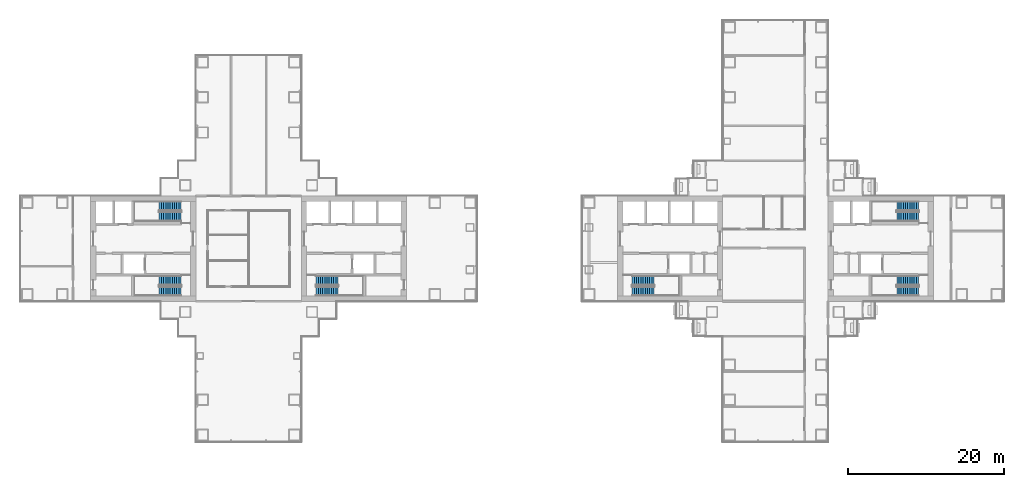
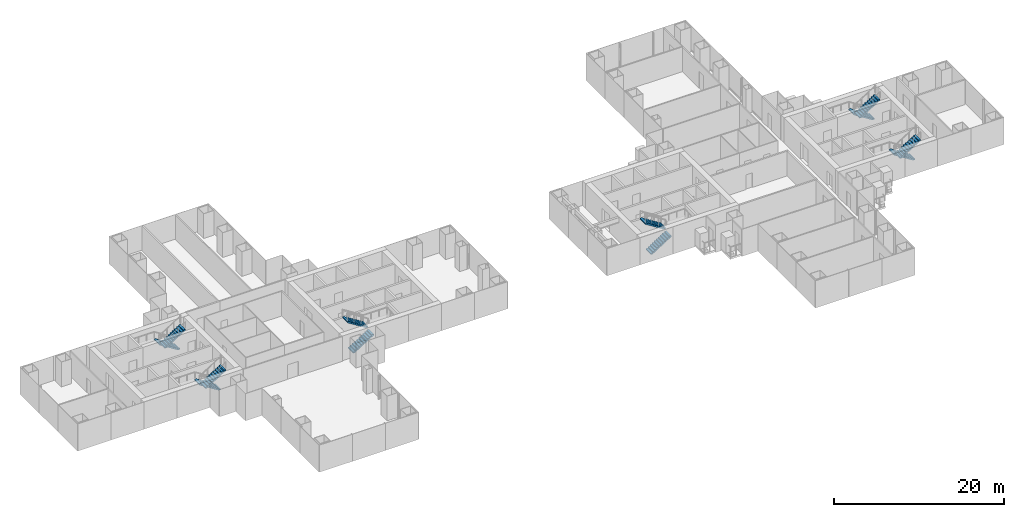
# One storey, part 18 of 21: 12 stair flights, 6 elements without a shape of their own.
"""IFC4 building model written with IfcOpenShell, lengths in metres."""

from ifc_helpers import new_model, si_unit, direction, frame, origin, place, context, subcontext, project, spatial, polyline, outline, extrude, material, type_object, element, aggregate, save


model = new_model("IFC4")

# Units and contexts
model_context = context("Model", 3, precision=1e-05, world=origin(), true_north=direction((0.0, 1.0)))
body_context = subcontext(model_context, "Body", "Model", "MODEL_VIEW")
ifc_project = project(units=[si_unit("LENGTHUNIT", "METRE"), si_unit("AREAUNIT", "SQUARE_METRE"), si_unit("VOLUMEUNIT", "CUBIC_METRE"), si_unit("PLANEANGLEUNIT", "RADIAN"), si_unit("MASSUNIT", "GRAM", prefix="KILO")], contexts=[model_context])

# Site, building, storey
site_placement = place(None, origin())
site = spatial("IfcSite", under=ifc_project, at=site_placement, CompositionType="ELEMENT")
building_placement = place(site_placement, origin())
building = spatial("IfcBuilding", under=site, at=building_placement, Name="Shamsa Quay Exchange Towers", CompositionType="ELEMENT")
storey_placement = place(building_placement, frame((0.0, 0.0, 53.699951171875)))
storey = spatial("IfcBuildingStorey", under=building, at=storey_placement, Name="L11", CompositionType="ELEMENT", Elevation=53.699951171875)

# Stair, stair flights
ifc_material = material(Name="Concrete C40/50", Category="concrete")
stair_type = type_object("IfcStairType", Name="EXIT STAIR 22 RISERS 177 MM", PredefinedType="HALF_TURN_STAIR", material=ifc_material)
stair_1_placement = place(storey_placement, origin())
stair_1 = element("IfcStair", 1, at=stair_1_placement, inside=storey, type_object=stair_type, Name="L11 Exit stair ST1", PredefinedType="HALF_TURN_STAIR")
stair_flight_type = type_object("IfcStairFlightType", Name="EXIT STAIR FLIGHT 11 RISERS 177 MM", PredefinedType="STRAIGHT", material=ifc_material)
stair_flight_1_placement = place(storey_placement, frame((-25.10009765625, -5.449951171875, 0.0)))
stair_flight_1 = element("IfcStairFlight", 2, at=stair_flight_1_placement, type_object=stair_flight_type, Name="ST1 flight 1", NumberOfRisers=11, NumberOfTreads=10, PredefinedType="STRAIGHT", RiserHeight=0.177272727, TreadLength=0.28, context=body_context, shape_type="SweptSolid", body=[
    extrude(outline(polyline([(0.0, 0.0), (0.0, 0.17724609375), (0.280029296875, 0.17724609375), (0.280029296875, 0.3544921875), (0.56005859375, 0.3544921875), (0.56005859375, 0.53173828125), (0.840087890625, 0.53173828125), (0.840087890625, 0.708984375), (1.1201171875, 0.708984375), (1.1201171875, 0.886474609375), (1.39990234375, 0.886474609375), (1.39990234375, 1.063720703125), (1.679931640625, 1.063720703125), (1.679931640625, 1.240966796875), (1.9599609375, 1.240966796875), (1.9599609375, 1.418212890625), (2.239990234375, 1.418212890625), (2.239990234375, 1.595458984375), (2.52001953125, 1.595458984375), (2.52001953125, 1.772705078125), (2.800048828125, 1.772705078125), (2.800048828125, 1.949951171875), (2.800048828125, 1.607177734375), (0.261474609375, 0.0), (0.0, 0.0)])), frame((0.0, 0.60009765625, 0.0), z_axis=(0.0, -1.0, 0.0), x_axis=(1.0, 0.0, 0.0)), (0.0, 0.0, 1.0), 1.199951171875),
])
stair_flight_2_placement = place(storey_placement, frame((-22.300048828125, -4.10009765625, 1.949951171875), z_axis=(0.0, 0.0, 1.0), x_axis=(-1.0, 0.0, 0.0)))
stair_flight_2 = element("IfcStairFlight", 3, at=stair_flight_2_placement, type_object=stair_flight_type, Name="ST1 flight 2", NumberOfRisers=11, NumberOfTreads=10, PredefinedType="STRAIGHT", RiserHeight=0.177272727, TreadLength=0.28, context=body_context, shape_type="SweptSolid", body=[
    extrude(outline(polyline([(0.0, 0.0), (0.0, 0.17724609375), (0.280029296875, 0.17724609375), (0.280029296875, 0.3544921875), (0.56005859375, 0.3544921875), (0.56005859375, 0.53173828125), (0.840087890625, 0.53173828125), (0.840087890625, 0.708984375), (1.1201171875, 0.708984375), (1.1201171875, 0.886474609375), (1.39990234375, 0.886474609375), (1.39990234375, 1.063720703125), (1.679931640625, 1.063720703125), (1.679931640625, 1.240966796875), (1.9599609375, 1.240966796875), (1.9599609375, 1.418212890625), (2.239990234375, 1.418212890625), (2.239990234375, 1.595458984375), (2.52001953125, 1.595458984375), (2.52001953125, 1.772705078125), (2.800048828125, 1.772705078125), (2.800048828125, 1.949951171875), (2.800048828125, 1.607177734375), (0.261474609375, 0.0), (0.0, 0.0)])), frame((0.0, 0.60009765625, 0.0), z_axis=(0.0, -1.0, 0.0), x_axis=(1.0, 0.0, 0.0)), (0.0, 0.0, 1.0), 1.199951171875),
])
aggregate(stair_1, [stair_flight_1, stair_flight_2])

stair_2_placement = place(storey_placement, origin())
stair_2 = element("IfcStair", 4, at=stair_2_placement, inside=storey, type_object=stair_type, Name="L11 Exit stair ST2", PredefinedType="HALF_TURN_STAIR")
stair_flight_3_placement = place(storey_placement, frame((-42.39990234375, -4.10009765625, 0.0), z_axis=(0.0, 0.0, 1.0), x_axis=(-1.0, 0.0, 0.0)))
stair_flight_3 = element("IfcStairFlight", 5, at=stair_flight_3_placement, type_object=stair_flight_type, Name="ST2 flight 1", NumberOfRisers=11, NumberOfTreads=10, PredefinedType="STRAIGHT", RiserHeight=0.177272727, TreadLength=0.28, context=body_context, shape_type="SweptSolid", body=[
    extrude(outline(polyline([(0.0, 0.0), (0.0, 0.17724609375), (0.280029296875, 0.17724609375), (0.280029296875, 0.3544921875), (0.56005859375, 0.3544921875), (0.56005859375, 0.53173828125), (0.840087890625, 0.53173828125), (0.840087890625, 0.708984375), (1.1201171875, 0.708984375), (1.1201171875, 0.886474609375), (1.39990234375, 0.886474609375), (1.39990234375, 1.063720703125), (1.679931640625, 1.063720703125), (1.679931640625, 1.240966796875), (1.9599609375, 1.240966796875), (1.9599609375, 1.418212890625), (2.239990234375, 1.418212890625), (2.239990234375, 1.595458984375), (2.52001953125, 1.595458984375), (2.52001953125, 1.772705078125), (2.800048828125, 1.772705078125), (2.800048828125, 1.949951171875), (2.800048828125, 1.607177734375), (0.261474609375, 0.0), (0.0, 0.0)])), frame((0.0, 0.60009765625, 0.0), z_axis=(0.0, -1.0, 0.0), x_axis=(1.0, 0.0, 0.0)), (0.0, 0.0, 1.0), 1.199951171875),
])
stair_flight_4_placement = place(storey_placement, frame((-45.199951171875, -5.449951171875, 1.949951171875)))
stair_flight_4 = element("IfcStairFlight", 6, at=stair_flight_4_placement, type_object=stair_flight_type, Name="ST2 flight 2", NumberOfRisers=11, NumberOfTreads=10, PredefinedType="STRAIGHT", RiserHeight=0.177272727, TreadLength=0.28, context=body_context, shape_type="SweptSolid", body=[
    extrude(outline(polyline([(0.0, 0.0), (0.0, 0.17724609375), (0.280029296875, 0.17724609375), (0.280029296875, 0.3544921875), (0.56005859375, 0.3544921875), (0.56005859375, 0.53173828125), (0.840087890625, 0.53173828125), (0.840087890625, 0.708984375), (1.1201171875, 0.708984375), (1.1201171875, 0.886474609375), (1.39990234375, 0.886474609375), (1.39990234375, 1.063720703125), (1.679931640625, 1.063720703125), (1.679931640625, 1.240966796875), (1.9599609375, 1.240966796875), (1.9599609375, 1.418212890625), (2.239990234375, 1.418212890625), (2.239990234375, 1.595458984375), (2.52001953125, 1.595458984375), (2.52001953125, 1.772705078125), (2.800048828125, 1.772705078125), (2.800048828125, 1.949951171875), (2.800048828125, 1.607177734375), (0.261474609375, 0.0), (0.0, 0.0)])), frame((0.0, 0.60009765625, 0.0), z_axis=(0.0, -1.0, 0.0), x_axis=(1.0, 0.0, 0.0)), (0.0, 0.0, 1.0), 1.199951171875),
])
aggregate(stair_2, [stair_flight_3, stair_flight_4])

stair_3_placement = place(storey_placement, origin())
stair_3 = element("IfcStair", 7, at=stair_3_placement, inside=storey, type_object=stair_type, Name="L11 Exit stair ST3", PredefinedType="HALF_TURN_STAIR")
stair_flight_5_placement = place(storey_placement, frame((-42.39990234375, 5.449951171875, 0.0), z_axis=(0.0, 0.0, 1.0), x_axis=(-1.0, 0.0, 0.0)))
stair_flight_5 = element("IfcStairFlight", 8, at=stair_flight_5_placement, type_object=stair_flight_type, Name="ST3 flight 1", NumberOfRisers=11, NumberOfTreads=10, PredefinedType="STRAIGHT", RiserHeight=0.177272727, TreadLength=0.28, context=body_context, shape_type="SweptSolid", body=[
    extrude(outline(polyline([(0.0, 0.0), (0.0, 0.17724609375), (0.280029296875, 0.17724609375), (0.280029296875, 0.3544921875), (0.56005859375, 0.3544921875), (0.56005859375, 0.53173828125), (0.840087890625, 0.53173828125), (0.840087890625, 0.708984375), (1.1201171875, 0.708984375), (1.1201171875, 0.886474609375), (1.39990234375, 0.886474609375), (1.39990234375, 1.063720703125), (1.679931640625, 1.063720703125), (1.679931640625, 1.240966796875), (1.9599609375, 1.240966796875), (1.9599609375, 1.418212890625), (2.239990234375, 1.418212890625), (2.239990234375, 1.595458984375), (2.52001953125, 1.595458984375), (2.52001953125, 1.772705078125), (2.800048828125, 1.772705078125), (2.800048828125, 1.949951171875), (2.800048828125, 1.607177734375), (0.261474609375, 0.0), (0.0, 0.0)])), frame((0.0, 0.60009765625, 0.0), z_axis=(0.0, -1.0, 0.0), x_axis=(1.0, 0.0, 0.0)), (0.0, 0.0, 1.0), 1.199951171875),
])
stair_flight_6_placement = place(storey_placement, frame((-45.199951171875, 4.10009765625, 1.949951171875)))
stair_flight_6 = element("IfcStairFlight", 9, at=stair_flight_6_placement, type_object=stair_flight_type, Name="ST3 flight 2", NumberOfRisers=11, NumberOfTreads=10, PredefinedType="STRAIGHT", RiserHeight=0.177272727, TreadLength=0.28, context=body_context, shape_type="SweptSolid", body=[
    extrude(outline(polyline([(0.0, 0.0), (0.0, 0.17724609375), (0.280029296875, 0.17724609375), (0.280029296875, 0.3544921875), (0.56005859375, 0.3544921875), (0.56005859375, 0.53173828125), (0.840087890625, 0.53173828125), (0.840087890625, 0.708984375), (1.1201171875, 0.708984375), (1.1201171875, 0.886474609375), (1.39990234375, 0.886474609375), (1.39990234375, 1.063720703125), (1.679931640625, 1.063720703125), (1.679931640625, 1.240966796875), (1.9599609375, 1.240966796875), (1.9599609375, 1.418212890625), (2.239990234375, 1.418212890625), (2.239990234375, 1.595458984375), (2.52001953125, 1.595458984375), (2.52001953125, 1.772705078125), (2.800048828125, 1.772705078125), (2.800048828125, 1.949951171875), (2.800048828125, 1.607177734375), (0.261474609375, 0.0), (0.0, 0.0)])), frame((0.0, 0.60009765625, 0.0), z_axis=(0.0, -1.0, 0.0), x_axis=(1.0, 0.0, 0.0)), (0.0, 0.0, 1.0), 1.199951171875),
])
aggregate(stair_3, [stair_flight_5, stair_flight_6])

stair_4_placement = place(storey_placement, origin())
stair_4 = element("IfcStair", 10, at=stair_4_placement, inside=storey, type_object=stair_type, Name="L11 Exit stair ST4", PredefinedType="HALF_TURN_STAIR")
stair_flight_7_placement = place(storey_placement, frame((15.39990234375, -5.449951171875, 0.0)))
stair_flight_7 = element("IfcStairFlight", 11, at=stair_flight_7_placement, type_object=stair_flight_type, Name="ST4 flight 1", NumberOfRisers=11, NumberOfTreads=10, PredefinedType="STRAIGHT", RiserHeight=0.177272727, TreadLength=0.28, context=body_context, shape_type="SweptSolid", body=[
    extrude(outline(polyline([(0.0, 0.0), (0.0, 0.17724609375), (0.280029296875, 0.17724609375), (0.280029296875, 0.3544921875), (0.56005859375, 0.3544921875), (0.56005859375, 0.53173828125), (0.840087890625, 0.53173828125), (0.840087890625, 0.708984375), (1.1201171875, 0.708984375), (1.1201171875, 0.886474609375), (1.39990234375, 0.886474609375), (1.39990234375, 1.063720703125), (1.679931640625, 1.063720703125), (1.679931640625, 1.240966796875), (1.9599609375, 1.240966796875), (1.9599609375, 1.418212890625), (2.239990234375, 1.418212890625), (2.239990234375, 1.595458984375), (2.52001953125, 1.595458984375), (2.52001953125, 1.772705078125), (2.800048828125, 1.772705078125), (2.800048828125, 1.949951171875), (2.800048828125, 1.607177734375), (0.261474609375, 0.0), (0.0, 0.0)])), frame((0.0, 0.60009765625, 0.0), z_axis=(0.0, -1.0, 0.0), x_axis=(1.0, 0.0, 0.0)), (0.0, 0.0, 1.0), 1.199951171875),
])
stair_flight_8_placement = place(storey_placement, frame((18.199951171875, -4.10009765625, 1.949951171875), z_axis=(0.0, 0.0, 1.0), x_axis=(-1.0, 0.0, 0.0)))
stair_flight_8 = element("IfcStairFlight", 12, at=stair_flight_8_placement, type_object=stair_flight_type, Name="ST4 flight 2", NumberOfRisers=11, NumberOfTreads=10, PredefinedType="STRAIGHT", RiserHeight=0.177272727, TreadLength=0.28, context=body_context, shape_type="SweptSolid", body=[
    extrude(outline(polyline([(0.0, 0.0), (0.0, 0.17724609375), (0.280029296875, 0.17724609375), (0.280029296875, 0.3544921875), (0.56005859375, 0.3544921875), (0.56005859375, 0.53173828125), (0.840087890625, 0.53173828125), (0.840087890625, 0.708984375), (1.1201171875, 0.708984375), (1.1201171875, 0.886474609375), (1.39990234375, 0.886474609375), (1.39990234375, 1.063720703125), (1.679931640625, 1.063720703125), (1.679931640625, 1.240966796875), (1.9599609375, 1.240966796875), (1.9599609375, 1.418212890625), (2.239990234375, 1.418212890625), (2.239990234375, 1.595458984375), (2.52001953125, 1.595458984375), (2.52001953125, 1.772705078125), (2.800048828125, 1.772705078125), (2.800048828125, 1.949951171875), (2.800048828125, 1.607177734375), (0.261474609375, 0.0), (0.0, 0.0)])), frame((0.0, 0.60009765625, 0.0), z_axis=(0.0, -1.0, 0.0), x_axis=(1.0, 0.0, 0.0)), (0.0, 0.0, 1.0), 1.199951171875),
])
aggregate(stair_4, [stair_flight_7, stair_flight_8])

stair_5_placement = place(storey_placement, origin())
stair_5 = element("IfcStair", 13, at=stair_5_placement, inside=storey, type_object=stair_type, Name="L11 Exit stair ST5", PredefinedType="HALF_TURN_STAIR")
stair_flight_9_placement = place(storey_placement, frame((52.10009765625, -4.10009765625, 0.0), z_axis=(0.0, 0.0, 1.0), x_axis=(-1.0, 0.0, 0.0)))
stair_flight_9 = element("IfcStairFlight", 14, at=stair_flight_9_placement, type_object=stair_flight_type, Name="ST5 flight 1", NumberOfRisers=11, NumberOfTreads=10, PredefinedType="STRAIGHT", RiserHeight=0.177272727, TreadLength=0.28, context=body_context, shape_type="SweptSolid", body=[
    extrude(outline(polyline([(0.0, 0.0), (0.0, 0.17724609375), (0.280029296875, 0.17724609375), (0.280029296875, 0.3544921875), (0.56005859375, 0.3544921875), (0.56005859375, 0.53173828125), (0.840087890625, 0.53173828125), (0.840087890625, 0.708984375), (1.1201171875, 0.708984375), (1.1201171875, 0.886474609375), (1.39990234375, 0.886474609375), (1.39990234375, 1.063720703125), (1.679931640625, 1.063720703125), (1.679931640625, 1.240966796875), (1.9599609375, 1.240966796875), (1.9599609375, 1.418212890625), (2.239990234375, 1.418212890625), (2.239990234375, 1.595458984375), (2.52001953125, 1.595458984375), (2.52001953125, 1.772705078125), (2.800048828125, 1.772705078125), (2.800048828125, 1.949951171875), (2.800048828125, 1.607177734375), (0.261474609375, 0.0), (0.0, 0.0)])), frame((0.0, 0.60009765625, 0.0), z_axis=(0.0, -1.0, 0.0), x_axis=(1.0, 0.0, 0.0)), (0.0, 0.0, 1.0), 1.199951171875),
])
stair_flight_10_placement = place(storey_placement, frame((49.300048828125, -5.449951171875, 1.949951171875)))
stair_flight_10 = element("IfcStairFlight", 15, at=stair_flight_10_placement, type_object=stair_flight_type, Name="ST5 flight 2", NumberOfRisers=11, NumberOfTreads=10, PredefinedType="STRAIGHT", RiserHeight=0.177272727, TreadLength=0.28, context=body_context, shape_type="SweptSolid", body=[
    extrude(outline(polyline([(0.0, 0.0), (0.0, 0.17724609375), (0.280029296875, 0.17724609375), (0.280029296875, 0.3544921875), (0.56005859375, 0.3544921875), (0.56005859375, 0.53173828125), (0.840087890625, 0.53173828125), (0.840087890625, 0.708984375), (1.1201171875, 0.708984375), (1.1201171875, 0.886474609375), (1.39990234375, 0.886474609375), (1.39990234375, 1.063720703125), (1.679931640625, 1.063720703125), (1.679931640625, 1.240966796875), (1.9599609375, 1.240966796875), (1.9599609375, 1.418212890625), (2.239990234375, 1.418212890625), (2.239990234375, 1.595458984375), (2.52001953125, 1.595458984375), (2.52001953125, 1.772705078125), (2.800048828125, 1.772705078125), (2.800048828125, 1.949951171875), (2.800048828125, 1.607177734375), (0.261474609375, 0.0), (0.0, 0.0)])), frame((0.0, 0.60009765625, 0.0), z_axis=(0.0, -1.0, 0.0), x_axis=(1.0, 0.0, 0.0)), (0.0, 0.0, 1.0), 1.199951171875),
])
aggregate(stair_5, [stair_flight_9, stair_flight_10])

stair_6_placement = place(storey_placement, origin())
stair_6 = element("IfcStair", 16, at=stair_6_placement, inside=storey, type_object=stair_type, Name="L11 Exit stair ST6", PredefinedType="HALF_TURN_STAIR")
stair_flight_11_placement = place(storey_placement, frame((52.10009765625, 5.449951171875, 0.0), z_axis=(0.0, 0.0, 1.0), x_axis=(-1.0, 0.0, 0.0)))
stair_flight_11 = element("IfcStairFlight", 17, at=stair_flight_11_placement, type_object=stair_flight_type, Name="ST6 flight 1", NumberOfRisers=11, NumberOfTreads=10, PredefinedType="STRAIGHT", RiserHeight=0.177272727, TreadLength=0.28, context=body_context, shape_type="SweptSolid", body=[
    extrude(outline(polyline([(0.0, 0.0), (0.0, 0.17724609375), (0.280029296875, 0.17724609375), (0.280029296875, 0.3544921875), (0.56005859375, 0.3544921875), (0.56005859375, 0.53173828125), (0.840087890625, 0.53173828125), (0.840087890625, 0.708984375), (1.1201171875, 0.708984375), (1.1201171875, 0.886474609375), (1.39990234375, 0.886474609375), (1.39990234375, 1.063720703125), (1.679931640625, 1.063720703125), (1.679931640625, 1.240966796875), (1.9599609375, 1.240966796875), (1.9599609375, 1.418212890625), (2.239990234375, 1.418212890625), (2.239990234375, 1.595458984375), (2.52001953125, 1.595458984375), (2.52001953125, 1.772705078125), (2.800048828125, 1.772705078125), (2.800048828125, 1.949951171875), (2.800048828125, 1.607177734375), (0.261474609375, 0.0), (0.0, 0.0)])), frame((0.0, 0.60009765625, 0.0), z_axis=(0.0, -1.0, 0.0), x_axis=(1.0, 0.0, 0.0)), (0.0, 0.0, 1.0), 1.199951171875),
])
stair_flight_12_placement = place(storey_placement, frame((49.300048828125, 4.10009765625, 1.949951171875)))
stair_flight_12 = element("IfcStairFlight", 18, at=stair_flight_12_placement, type_object=stair_flight_type, Name="ST6 flight 2", NumberOfRisers=11, NumberOfTreads=10, PredefinedType="STRAIGHT", RiserHeight=0.177272727, TreadLength=0.28, context=body_context, shape_type="SweptSolid", body=[
    extrude(outline(polyline([(0.0, 0.0), (0.0, 0.17724609375), (0.280029296875, 0.17724609375), (0.280029296875, 0.3544921875), (0.56005859375, 0.3544921875), (0.56005859375, 0.53173828125), (0.840087890625, 0.53173828125), (0.840087890625, 0.708984375), (1.1201171875, 0.708984375), (1.1201171875, 0.886474609375), (1.39990234375, 0.886474609375), (1.39990234375, 1.063720703125), (1.679931640625, 1.063720703125), (1.679931640625, 1.240966796875), (1.9599609375, 1.240966796875), (1.9599609375, 1.418212890625), (2.239990234375, 1.418212890625), (2.239990234375, 1.595458984375), (2.52001953125, 1.595458984375), (2.52001953125, 1.772705078125), (2.800048828125, 1.772705078125), (2.800048828125, 1.949951171875), (2.800048828125, 1.607177734375), (0.261474609375, 0.0), (0.0, 0.0)])), frame((0.0, 0.60009765625, 0.0), z_axis=(0.0, -1.0, 0.0), x_axis=(1.0, 0.0, 0.0)), (0.0, 0.0, 1.0), 1.199951171875),
])
aggregate(stair_6, [stair_flight_11, stair_flight_12])

save(model, "model.ifc")
